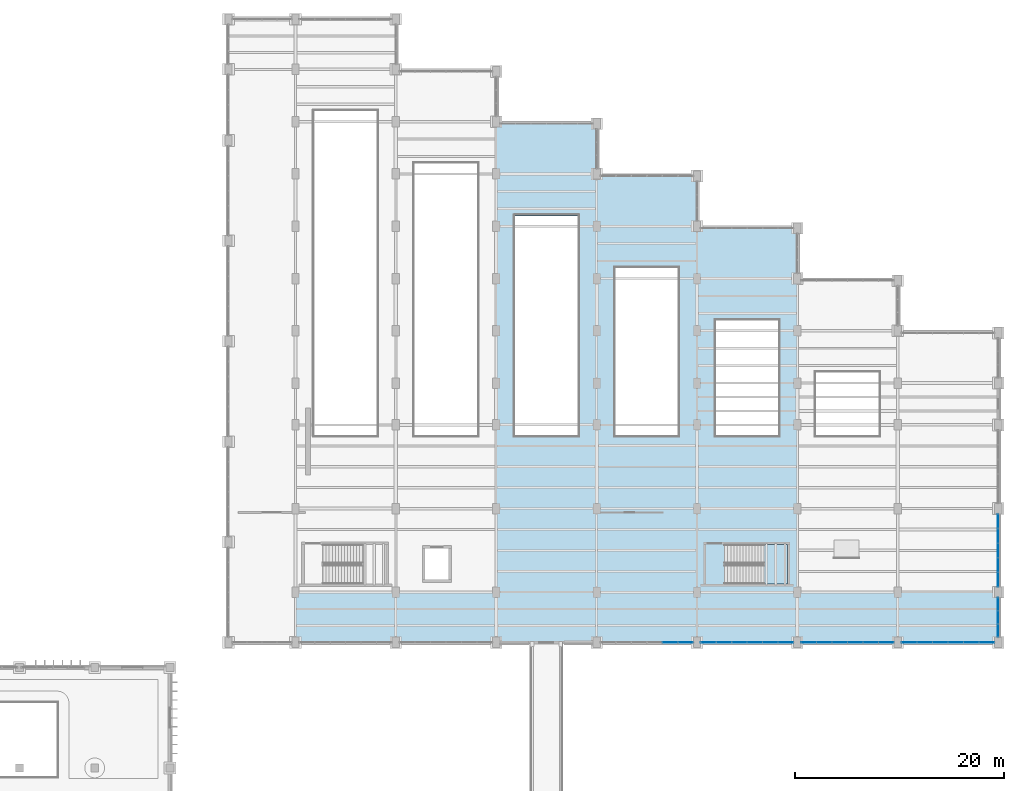
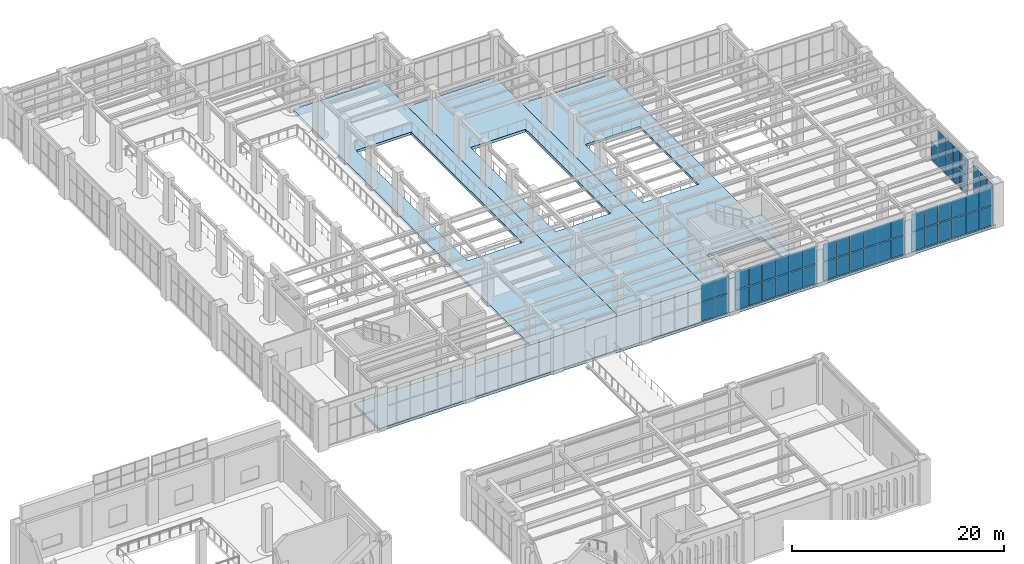
# One storey, part 137 of 174: 55 plates, 5 slabs, 7 elements without a shape of their own.
"""IFC4 building model written with IfcOpenShell, lengths in metres."""

from ifc_helpers import new_model, si_unit, direction, frame, origin, origin_2d, place, context, subcontext, project, spatial, polyline, rectangle, outline, extrude, material, layer, layer_set, type_object, element, aggregate, save


model = new_model("IFC4")

# Units and contexts
model_context = context("Model", 3, precision=1e-05, world=origin(), true_north=direction((0.0, 1.0)))
body_context = subcontext(model_context, "Body", "Model", "MODEL_VIEW")
ifc_project = project(units=[si_unit("LENGTHUNIT", "METRE"), si_unit("AREAUNIT", "SQUARE_METRE"), si_unit("VOLUMEUNIT", "CUBIC_METRE"), si_unit("PLANEANGLEUNIT", "RADIAN"), si_unit("MASSUNIT", "GRAM", prefix="KILO")], contexts=[model_context])

# Site, building, storey
site_placement = place(None, origin())
site = spatial("IfcSite", under=ifc_project, at=site_placement, CompositionType="ELEMENT")
building_placement = place(site_placement, origin())
building = spatial("IfcBuilding", under=site, at=building_placement, Name="Mavantir Sound Aquarium", CompositionType="ELEMENT")
storey_placement = place(building_placement, frame((0.0, 0.0, 5.39990234375)))
storey = spatial("IfcBuildingStorey", under=building, at=storey_placement, Name="L01", CompositionType="ELEMENT", Elevation=5.39990234375)

# Curtain wall, plates
ifc_material_1 = material(Name="Anodised Marine Aluminium and Low-E Glass", Category="aluminium")
curtain_wall_type_1 = type_object("IfcCurtainWallType", Name="CW-T05", PredefinedType="USERDEFINED", material=ifc_material_1)
curtain_wall_1_placement = place(storey_placement, origin())
curtain_wall_1 = element("IfcCurtainWall", 1, at=curtain_wall_1_placement, inside=storey, type_object=curtain_wall_type_1, Name="L01 unitised curtain wall CW-05 101", ObjectType="UNITISED GLAZING", PredefinedType="USERDEFINED")
ifc_material_2 = material(Name="Solar-Control Laminated Low-E Glass", Category="glass")
ifc_layer_1 = layer(ifc_material_2, 0.028076171875, Name="Solar-Control Laminated Low-E Glass")
ifc_layer_set_1 = layer_set([ifc_layer_1], Name="Solar-Control Laminated Low-E Glass")
plate_type_1 = type_object("IfcPlateType", Name="CW-PNL-28", PredefinedType="CURTAIN_PANEL", material=ifc_layer_set_1)
plate_1_placement = place(storey_placement, frame((147.498291015625, 36.0, 0.10302734375), z_axis=(0.0, 0.0, 1.0), x_axis=(1.0, 0.0, 0.0)))
plate_1 = element("IfcPlate", 2, at=plate_1_placement, type_object=plate_type_1, Name="CW-L01-101 glazed curtain panel 1.1", PredefinedType="CURTAIN_PANEL", context=body_context, shape_type="SweptSolid", body=[
    extrude(rectangle(XDim=1.4326171875, YDim=0.028076171875, at=origin_2d()), origin(), (0.0, 0.0, 1.0), 2.21142578125),
])
plate_2_placement = place(storey_placement, frame((147.498291015625, 36.0, 2.41064453125), z_axis=(0.0, 0.0, 1.0), x_axis=(1.0, 0.0, 0.0)))
plate_2 = element("IfcPlate", 3, at=plate_2_placement, type_object=plate_type_1, Name="CW-L01-101 glazed curtain panel 1.2", PredefinedType="CURTAIN_PANEL", context=body_context, shape_type="SweptSolid", body=[
    extrude(rectangle(XDim=1.4326171875, YDim=0.028076171875, at=origin_2d()), origin(), (0.0, 0.0, 1.0), 2.029541015625),
])
plate_3_placement = place(storey_placement, frame((148.97900390625, 36.0, 0.10302734375), z_axis=(0.0, 0.0, 1.0), x_axis=(1.0, 0.0, 0.0)))
plate_3 = element("IfcPlate", 4, at=plate_3_placement, type_object=plate_type_1, Name="CW-L01-101 glazed curtain panel 2.1", PredefinedType="CURTAIN_PANEL", context=body_context, shape_type="SweptSolid", body=[
    extrude(rectangle(XDim=1.4326171875, YDim=0.028076171875, at=origin_2d()), origin(), (0.0, 0.0, 1.0), 2.21142578125),
])
plate_4_placement = place(storey_placement, frame((148.97900390625, 36.0, 2.41064453125), z_axis=(0.0, 0.0, 1.0), x_axis=(1.0, 0.0, 0.0)))
plate_4 = element("IfcPlate", 5, at=plate_4_placement, type_object=plate_type_1, Name="CW-L01-101 glazed curtain panel 2.2", PredefinedType="CURTAIN_PANEL", context=body_context, shape_type="SweptSolid", body=[
    extrude(rectangle(XDim=1.4326171875, YDim=0.028076171875, at=origin_2d()), origin(), (0.0, 0.0, 1.0), 2.029541015625),
])
plate_5_placement = place(storey_placement, frame((150.459716796875, 36.0, 0.10302734375), z_axis=(0.0, 0.0, 1.0), x_axis=(1.0, 0.0, 0.0)))
plate_5 = element("IfcPlate", 6, at=plate_5_placement, type_object=plate_type_1, Name="CW-L01-101 glazed curtain panel 3.1", PredefinedType="CURTAIN_PANEL", context=body_context, shape_type="SweptSolid", body=[
    extrude(rectangle(XDim=1.4326171875, YDim=0.028076171875, at=origin_2d()), origin(), (0.0, 0.0, 1.0), 2.21142578125),
])
plate_6_placement = place(storey_placement, frame((150.459716796875, 36.0, 2.41064453125), z_axis=(0.0, 0.0, 1.0), x_axis=(1.0, 0.0, 0.0)))
plate_6 = element("IfcPlate", 7, at=plate_6_placement, type_object=plate_type_1, Name="CW-L01-101 glazed curtain panel 3.2", PredefinedType="CURTAIN_PANEL", context=body_context, shape_type="SweptSolid", body=[
    extrude(rectangle(XDim=1.4326171875, YDim=0.028076171875, at=origin_2d()), origin(), (0.0, 0.0, 1.0), 2.029541015625),
])
plate_7_placement = place(storey_placement, frame((151.940185546875, 36.0, 0.10302734375), z_axis=(0.0, 0.0, 1.0), x_axis=(1.0, 0.0, 0.0)))
plate_7 = element("IfcPlate", 8, at=plate_7_placement, type_object=plate_type_1, Name="CW-L01-101 glazed curtain panel 4.1", PredefinedType="CURTAIN_PANEL", context=body_context, shape_type="SweptSolid", body=[
    extrude(rectangle(XDim=1.4326171875, YDim=0.028076171875, at=origin_2d()), origin(), (0.0, 0.0, 1.0), 2.21142578125),
])
plate_8_placement = place(storey_placement, frame((151.940185546875, 36.0, 2.41064453125), z_axis=(0.0, 0.0, 1.0), x_axis=(1.0, 0.0, 0.0)))
plate_8 = element("IfcPlate", 9, at=plate_8_placement, type_object=plate_type_1, Name="CW-L01-101 glazed curtain panel 4.2", PredefinedType="CURTAIN_PANEL", context=body_context, shape_type="SweptSolid", body=[
    extrude(rectangle(XDim=1.4326171875, YDim=0.028076171875, at=origin_2d()), origin(), (0.0, 0.0, 1.0), 2.029541015625),
])
plate_9_placement = place(storey_placement, frame((153.4208984375, 36.0, 0.10302734375), z_axis=(0.0, 0.0, 1.0), x_axis=(1.0, 0.0, 0.0)))
plate_9 = element("IfcPlate", 10, at=plate_9_placement, type_object=plate_type_1, Name="CW-L01-101 glazed curtain panel 5.1", PredefinedType="CURTAIN_PANEL", context=body_context, shape_type="SweptSolid", body=[
    extrude(rectangle(XDim=1.4326171875, YDim=0.028076171875, at=origin_2d()), origin(), (0.0, 0.0, 1.0), 2.21142578125),
])
plate_10_placement = place(storey_placement, frame((153.4208984375, 36.0, 2.41064453125), z_axis=(0.0, 0.0, 1.0), x_axis=(1.0, 0.0, 0.0)))
plate_10 = element("IfcPlate", 11, at=plate_10_placement, type_object=plate_type_1, Name="CW-L01-101 glazed curtain panel 5.2", PredefinedType="CURTAIN_PANEL", context=body_context, shape_type="SweptSolid", body=[
    extrude(rectangle(XDim=1.4326171875, YDim=0.028076171875, at=origin_2d()), origin(), (0.0, 0.0, 1.0), 2.029541015625),
])
plate_11_placement = place(storey_placement, frame((154.901611328125, 36.0, 0.10302734375), z_axis=(0.0, 0.0, 1.0), x_axis=(1.0, 0.0, 0.0)))
plate_11 = element("IfcPlate", 12, at=plate_11_placement, type_object=plate_type_1, Name="CW-L01-101 glazed curtain panel 6.1", PredefinedType="CURTAIN_PANEL", context=body_context, shape_type="SweptSolid", body=[
    extrude(rectangle(XDim=1.4326171875, YDim=0.028076171875, at=origin_2d()), origin(), (0.0, 0.0, 1.0), 2.21142578125),
])
plate_12_placement = place(storey_placement, frame((154.901611328125, 36.0, 2.41064453125), z_axis=(0.0, 0.0, 1.0), x_axis=(1.0, 0.0, 0.0)))
plate_12 = element("IfcPlate", 13, at=plate_12_placement, type_object=plate_type_1, Name="CW-L01-101 glazed curtain panel 6.2", PredefinedType="CURTAIN_PANEL", context=body_context, shape_type="SweptSolid", body=[
    extrude(rectangle(XDim=1.4326171875, YDim=0.028076171875, at=origin_2d()), origin(), (0.0, 0.0, 1.0), 2.029541015625),
])
aggregate(curtain_wall_1, [plate_1, plate_2, plate_3, plate_4, plate_5, plate_6, plate_7, plate_8, plate_9, plate_10, plate_11, plate_12])

curtain_wall_type_2 = type_object("IfcCurtainWallType", Name="CW-T07", PredefinedType="USERDEFINED", material=ifc_material_1)
curtain_wall_2_placement = place(storey_placement, origin())
curtain_wall_2 = element("IfcCurtainWall", 14, at=curtain_wall_2_placement, inside=storey, type_object=curtain_wall_type_2, Name="L01 unitised curtain wall CW-07 103", ObjectType="UNITISED GLAZING", PredefinedType="USERDEFINED")
plate_13_placement = place(storey_placement, frame((166.6982421875, 36.0, 0.10302734375), z_axis=(0.0, 0.0, 1.0), x_axis=(1.0, 0.0, 0.0)))
plate_13 = element("IfcPlate", 15, at=plate_13_placement, type_object=plate_type_1, Name="CW-L01-103 glazed curtain panel 1.1", PredefinedType="CURTAIN_PANEL", context=body_context, shape_type="SweptSolid", body=[
    extrude(rectangle(XDim=1.4326171875, YDim=0.028076171875, at=origin_2d()), origin(), (0.0, 0.0, 1.0), 2.21142578125),
])
plate_14_placement = place(storey_placement, frame((166.6982421875, 36.0, 2.41064453125), z_axis=(0.0, 0.0, 1.0), x_axis=(1.0, 0.0, 0.0)))
plate_14 = element("IfcPlate", 16, at=plate_14_placement, type_object=plate_type_1, Name="CW-L01-103 glazed curtain panel 1.2", PredefinedType="CURTAIN_PANEL", context=body_context, shape_type="SweptSolid", body=[
    extrude(rectangle(XDim=1.4326171875, YDim=0.028076171875, at=origin_2d()), origin(), (0.0, 0.0, 1.0), 2.029541015625),
])
plate_15_placement = place(storey_placement, frame((168.178955078125, 36.0, 0.10302734375), z_axis=(0.0, 0.0, 1.0), x_axis=(1.0, 0.0, 0.0)))
plate_15 = element("IfcPlate", 17, at=plate_15_placement, type_object=plate_type_1, Name="CW-L01-103 glazed curtain panel 2.1", PredefinedType="CURTAIN_PANEL", context=body_context, shape_type="SweptSolid", body=[
    extrude(rectangle(XDim=1.4326171875, YDim=0.028076171875, at=origin_2d()), origin(), (0.0, 0.0, 1.0), 2.21142578125),
])
plate_16_placement = place(storey_placement, frame((168.178955078125, 36.0, 2.41064453125), z_axis=(0.0, 0.0, 1.0), x_axis=(1.0, 0.0, 0.0)))
plate_16 = element("IfcPlate", 18, at=plate_16_placement, type_object=plate_type_1, Name="CW-L01-103 glazed curtain panel 2.2", PredefinedType="CURTAIN_PANEL", context=body_context, shape_type="SweptSolid", body=[
    extrude(rectangle(XDim=1.4326171875, YDim=0.028076171875, at=origin_2d()), origin(), (0.0, 0.0, 1.0), 2.029541015625),
])
plate_17_placement = place(storey_placement, frame((169.65966796875, 36.0, 0.10302734375), z_axis=(0.0, 0.0, 1.0), x_axis=(1.0, 0.0, 0.0)))
plate_17 = element("IfcPlate", 19, at=plate_17_placement, type_object=plate_type_1, Name="CW-L01-103 glazed curtain panel 3.1", PredefinedType="CURTAIN_PANEL", context=body_context, shape_type="SweptSolid", body=[
    extrude(rectangle(XDim=1.4326171875, YDim=0.028076171875, at=origin_2d()), origin(), (0.0, 0.0, 1.0), 2.21142578125),
])
plate_18_placement = place(storey_placement, frame((169.65966796875, 36.0, 2.41064453125), z_axis=(0.0, 0.0, 1.0), x_axis=(1.0, 0.0, 0.0)))
plate_18 = element("IfcPlate", 20, at=plate_18_placement, type_object=plate_type_1, Name="CW-L01-103 glazed curtain panel 3.2", PredefinedType="CURTAIN_PANEL", context=body_context, shape_type="SweptSolid", body=[
    extrude(rectangle(XDim=1.4326171875, YDim=0.028076171875, at=origin_2d()), origin(), (0.0, 0.0, 1.0), 2.029541015625),
])
plate_19_placement = place(storey_placement, frame((171.140380859375, 36.0, 0.10302734375), z_axis=(0.0, 0.0, 1.0), x_axis=(1.0, 0.0, 0.0)))
plate_19 = element("IfcPlate", 21, at=plate_19_placement, type_object=plate_type_1, Name="CW-L01-103 glazed curtain panel 4.1", PredefinedType="CURTAIN_PANEL", context=body_context, shape_type="SweptSolid", body=[
    extrude(rectangle(XDim=1.4326171875, YDim=0.028076171875, at=origin_2d()), origin(), (0.0, 0.0, 1.0), 2.21142578125),
])
plate_20_placement = place(storey_placement, frame((171.140380859375, 36.0, 2.41064453125), z_axis=(0.0, 0.0, 1.0), x_axis=(1.0, 0.0, 0.0)))
plate_20 = element("IfcPlate", 22, at=plate_20_placement, type_object=plate_type_1, Name="CW-L01-103 glazed curtain panel 4.2", PredefinedType="CURTAIN_PANEL", context=body_context, shape_type="SweptSolid", body=[
    extrude(rectangle(XDim=1.4326171875, YDim=0.028076171875, at=origin_2d()), origin(), (0.0, 0.0, 1.0), 2.029541015625),
])
plate_21_placement = place(storey_placement, frame((172.62109375, 36.0, 0.10302734375), z_axis=(0.0, 0.0, 1.0), x_axis=(1.0, 0.0, 0.0)))
plate_21 = element("IfcPlate", 23, at=plate_21_placement, type_object=plate_type_1, Name="CW-L01-103 glazed curtain panel 5.1", PredefinedType="CURTAIN_PANEL", context=body_context, shape_type="SweptSolid", body=[
    extrude(rectangle(XDim=1.4326171875, YDim=0.028076171875, at=origin_2d()), origin(), (0.0, 0.0, 1.0), 2.21142578125),
])
plate_22_placement = place(storey_placement, frame((172.62109375, 36.0, 2.41064453125), z_axis=(0.0, 0.0, 1.0), x_axis=(1.0, 0.0, 0.0)))
plate_22 = element("IfcPlate", 24, at=plate_22_placement, type_object=plate_type_1, Name="CW-L01-103 glazed curtain panel 5.2", PredefinedType="CURTAIN_PANEL", context=body_context, shape_type="SweptSolid", body=[
    extrude(rectangle(XDim=1.4326171875, YDim=0.028076171875, at=origin_2d()), origin(), (0.0, 0.0, 1.0), 2.029541015625),
])
plate_23_placement = place(storey_placement, frame((174.101806640625, 36.0, 0.10302734375), z_axis=(0.0, 0.0, 1.0), x_axis=(1.0, 0.0, 0.0)))
plate_23 = element("IfcPlate", 25, at=plate_23_placement, type_object=plate_type_1, Name="CW-L01-103 glazed curtain panel 6.1", PredefinedType="CURTAIN_PANEL", context=body_context, shape_type="SweptSolid", body=[
    extrude(rectangle(XDim=1.4326171875, YDim=0.028076171875, at=origin_2d()), origin(), (0.0, 0.0, 1.0), 2.21142578125),
])
plate_24_placement = place(storey_placement, frame((174.101806640625, 36.0, 2.41064453125), z_axis=(0.0, 0.0, 1.0), x_axis=(1.0, 0.0, 0.0)))
plate_24 = element("IfcPlate", 26, at=plate_24_placement, type_object=plate_type_1, Name="CW-L01-103 glazed curtain panel 6.2", PredefinedType="CURTAIN_PANEL", context=body_context, shape_type="SweptSolid", body=[
    extrude(rectangle(XDim=1.4326171875, YDim=0.028076171875, at=origin_2d()), origin(), (0.0, 0.0, 1.0), 2.029541015625),
])
aggregate(curtain_wall_2, [plate_13, plate_14, plate_15, plate_16, plate_17, plate_18, plate_19, plate_20, plate_21, plate_22, plate_23, plate_24])

curtain_wall_type_3 = type_object("IfcCurtainWallType", Name="CW-T09", PredefinedType="USERDEFINED", material=ifc_material_1)
curtain_wall_3_placement = place(storey_placement, origin())
curtain_wall_3 = element("IfcCurtainWall", 27, at=curtain_wall_3_placement, inside=storey, type_object=curtain_wall_type_3, Name="L01 unitised curtain wall CW-09 105", ObjectType="UNITISED GLAZING", PredefinedType="USERDEFINED")
plate_25_placement = place(storey_placement, frame((175.199951171875, 42.00634765625, 0.10302734375), z_axis=(0.0, 0.0, 1.0), x_axis=(0.0, 1.0, 0.0)))
plate_25 = element("IfcPlate", 28, at=plate_25_placement, type_object=plate_type_1, Name="CW-L01-105 glazed curtain panel 1.1", PredefinedType="CURTAIN_PANEL", context=body_context, shape_type="SweptSolid", body=[
    extrude(rectangle(XDim=1.348876953125, YDim=0.028076171875, at=origin_2d()), origin(), (0.0, 0.0, 1.0), 2.11572265625),
])
plate_26_placement = place(storey_placement, frame((175.199951171875, 42.00634765625, 2.314697265625), z_axis=(0.0, 0.0, 1.0), x_axis=(0.0, 1.0, 0.0)))
plate_26 = element("IfcPlate", 29, at=plate_26_placement, type_object=plate_type_1, Name="CW-L01-105 glazed curtain panel 1.2", PredefinedType="CURTAIN_PANEL", context=body_context, shape_type="SweptSolid", body=[
    extrude(rectangle(XDim=1.348876953125, YDim=0.028076171875, at=origin_2d()), origin(), (0.0, 0.0, 1.0), 1.94140625),
])
plate_27_placement = place(storey_placement, frame((175.199951171875, 43.4033203125, 0.10302734375), z_axis=(0.0, 0.0, 1.0), x_axis=(0.0, 1.0, 0.0)))
plate_27 = element("IfcPlate", 30, at=plate_27_placement, type_object=plate_type_1, Name="CW-L01-105 glazed curtain panel 2.1", PredefinedType="CURTAIN_PANEL", context=body_context, shape_type="SweptSolid", body=[
    extrude(rectangle(XDim=1.348876953125, YDim=0.028076171875, at=origin_2d()), origin(), (0.0, 0.0, 1.0), 2.11572265625),
])
plate_28_placement = place(storey_placement, frame((175.199951171875, 43.4033203125, 2.314697265625), z_axis=(0.0, 0.0, 1.0), x_axis=(0.0, 1.0, 0.0)))
plate_28 = element("IfcPlate", 31, at=plate_28_placement, type_object=plate_type_1, Name="CW-L01-105 glazed curtain panel 2.2", PredefinedType="CURTAIN_PANEL", context=body_context, shape_type="SweptSolid", body=[
    extrude(rectangle(XDim=1.348876953125, YDim=0.028076171875, at=origin_2d()), origin(), (0.0, 0.0, 1.0), 1.94140625),
])
plate_29_placement = place(storey_placement, frame((175.199951171875, 44.800048828125, 0.10302734375), z_axis=(0.0, 0.0, 1.0), x_axis=(0.0, 1.0, 0.0)))
plate_29 = element("IfcPlate", 32, at=plate_29_placement, type_object=plate_type_1, Name="CW-L01-105 glazed curtain panel 3.1", PredefinedType="CURTAIN_PANEL", context=body_context, shape_type="SweptSolid", body=[
    extrude(rectangle(XDim=1.348876953125, YDim=0.028076171875, at=origin_2d()), origin(), (0.0, 0.0, 1.0), 2.11572265625),
])
plate_30_placement = place(storey_placement, frame((175.199951171875, 44.800048828125, 2.314697265625), z_axis=(0.0, 0.0, 1.0), x_axis=(0.0, 1.0, 0.0)))
plate_30 = element("IfcPlate", 33, at=plate_30_placement, type_object=plate_type_1, Name="CW-L01-105 glazed curtain panel 3.2", PredefinedType="CURTAIN_PANEL", context=body_context, shape_type="SweptSolid", body=[
    extrude(rectangle(XDim=1.348876953125, YDim=0.028076171875, at=origin_2d()), origin(), (0.0, 0.0, 1.0), 1.94140625),
])
plate_31_placement = place(storey_placement, frame((175.199951171875, 46.19677734375, 0.10302734375), z_axis=(0.0, 0.0, 1.0), x_axis=(0.0, 1.0, 0.0)))
plate_31 = element("IfcPlate", 34, at=plate_31_placement, type_object=plate_type_1, Name="CW-L01-105 glazed curtain panel 4.1", PredefinedType="CURTAIN_PANEL", context=body_context, shape_type="SweptSolid", body=[
    extrude(rectangle(XDim=1.348876953125, YDim=0.028076171875, at=origin_2d()), origin(), (0.0, 0.0, 1.0), 2.11572265625),
])
plate_32_placement = place(storey_placement, frame((175.199951171875, 46.19677734375, 2.314697265625), z_axis=(0.0, 0.0, 1.0), x_axis=(0.0, 1.0, 0.0)))
plate_32 = element("IfcPlate", 35, at=plate_32_placement, type_object=plate_type_1, Name="CW-L01-105 glazed curtain panel 4.2", PredefinedType="CURTAIN_PANEL", context=body_context, shape_type="SweptSolid", body=[
    extrude(rectangle(XDim=1.348876953125, YDim=0.028076171875, at=origin_2d()), origin(), (0.0, 0.0, 1.0), 1.94140625),
])
plate_33_placement = place(storey_placement, frame((175.199951171875, 47.593505859375, 0.10302734375), z_axis=(0.0, 0.0, 1.0), x_axis=(0.0, 1.0, 0.0)))
plate_33 = element("IfcPlate", 36, at=plate_33_placement, type_object=plate_type_1, Name="CW-L01-105 glazed curtain panel 5.1", PredefinedType="CURTAIN_PANEL", context=body_context, shape_type="SweptSolid", body=[
    extrude(rectangle(XDim=1.348876953125, YDim=0.028076171875, at=origin_2d()), origin(), (0.0, 0.0, 1.0), 2.11572265625),
])
aggregate(curtain_wall_3, [plate_25, plate_26, plate_27, plate_28, plate_29, plate_30, plate_31, plate_32, plate_33])

curtain_wall_type_4 = type_object("IfcCurtainWallType", Name="CW-T04", PredefinedType="USERDEFINED", material=ifc_material_1)
curtain_wall_4_placement = place(storey_placement, origin())
curtain_wall_4 = element("IfcCurtainWall", 37, at=curtain_wall_4_placement, inside=storey, type_object=curtain_wall_type_4, Name="L01 unitised curtain wall CW-04 100", ObjectType="UNITISED GLAZING", PredefinedType="USERDEFINED")
ifc_layer_2 = layer(ifc_material_2, 0.031982421875, Name="Solar-Control Laminated Low-E Glass")
ifc_layer_set_2 = layer_set([ifc_layer_2], Name="Solar-Control Laminated Low-E Glass")
plate_type_2 = type_object("IfcPlateType", Name="CW-PNL-32", PredefinedType="CURTAIN_PANEL", material=ifc_layer_set_2)
plate_34_placement = place(storey_placement, frame((143.821044921875, 36.0, 0.10302734375), z_axis=(0.0, 0.0, 1.0), x_axis=(1.0, 0.0, 0.0)))
plate_34 = element("IfcPlate", 38, at=plate_34_placement, type_object=plate_type_2, Name="CW-L01-100 glazed curtain panel 5.1", PredefinedType="CURTAIN_PANEL", context=body_context, shape_type="SweptSolid", body=[
    extrude(rectangle(XDim=1.4326171875, YDim=0.031982421875, at=origin_2d()), origin(), (0.0, 0.0, 1.0), 2.15673828125),
])
plate_35_placement = place(storey_placement, frame((143.821044921875, 36.0, 2.35595703125), z_axis=(0.0, 0.0, 1.0), x_axis=(1.0, 0.0, 0.0)))
plate_35 = element("IfcPlate", 39, at=plate_35_placement, type_object=plate_type_2, Name="CW-L01-100 glazed curtain panel 5.2", PredefinedType="CURTAIN_PANEL", context=body_context, shape_type="SweptSolid", body=[
    extrude(rectangle(XDim=1.4326171875, YDim=0.031982421875, at=origin_2d()), origin(), (0.0, 0.0, 1.0), 1.979248046875),
])
plate_36_placement = place(storey_placement, frame((145.3017578125, 36.0, 0.10302734375), z_axis=(0.0, 0.0, 1.0), x_axis=(1.0, 0.0, 0.0)))
plate_36 = element("IfcPlate", 40, at=plate_36_placement, type_object=plate_type_2, Name="CW-L01-100 glazed curtain panel 6.1", PredefinedType="CURTAIN_PANEL", context=body_context, shape_type="SweptSolid", body=[
    extrude(rectangle(XDim=1.4326171875, YDim=0.031982421875, at=origin_2d()), origin(), (0.0, 0.0, 1.0), 2.15673828125),
])
plate_37_placement = place(storey_placement, frame((145.3017578125, 36.0, 2.35595703125), z_axis=(0.0, 0.0, 1.0), x_axis=(1.0, 0.0, 0.0)))
plate_37 = element("IfcPlate", 41, at=plate_37_placement, type_object=plate_type_2, Name="CW-L01-100 glazed curtain panel 6.2", PredefinedType="CURTAIN_PANEL", context=body_context, shape_type="SweptSolid", body=[
    extrude(rectangle(XDim=1.4326171875, YDim=0.031982421875, at=origin_2d()), origin(), (0.0, 0.0, 1.0), 1.979248046875),
])
aggregate(curtain_wall_4, [plate_34, plate_35, plate_36, plate_37])

curtain_wall_type_5 = type_object("IfcCurtainWallType", Name="CW-T06", PredefinedType="USERDEFINED", material=ifc_material_1)
curtain_wall_5_placement = place(storey_placement, origin())
curtain_wall_5 = element("IfcCurtainWall", 42, at=curtain_wall_5_placement, inside=storey, type_object=curtain_wall_type_5, Name="L01 unitised curtain wall CW-06 102", ObjectType="UNITISED GLAZING", PredefinedType="USERDEFINED")
plate_38_placement = place(storey_placement, frame((157.098388671875, 36.0, 0.10302734375), z_axis=(0.0, 0.0, 1.0), x_axis=(1.0, 0.0, 0.0)))
plate_38 = element("IfcPlate", 43, at=plate_38_placement, type_object=plate_type_2, Name="CW-L01-102 glazed curtain panel 1.1", PredefinedType="CURTAIN_PANEL", context=body_context, shape_type="SweptSolid", body=[
    extrude(rectangle(XDim=1.4326171875, YDim=0.031982421875, at=origin_2d()), origin(), (0.0, 0.0, 1.0), 2.15673828125),
])
plate_39_placement = place(storey_placement, frame((157.098388671875, 36.0, 2.35595703125), z_axis=(0.0, 0.0, 1.0), x_axis=(1.0, 0.0, 0.0)))
plate_39 = element("IfcPlate", 44, at=plate_39_placement, type_object=plate_type_2, Name="CW-L01-102 glazed curtain panel 1.2", PredefinedType="CURTAIN_PANEL", context=body_context, shape_type="SweptSolid", body=[
    extrude(rectangle(XDim=1.4326171875, YDim=0.031982421875, at=origin_2d()), origin(), (0.0, 0.0, 1.0), 1.979248046875),
])
plate_40_placement = place(storey_placement, frame((158.5791015625, 36.0, 0.10302734375), z_axis=(0.0, 0.0, 1.0), x_axis=(1.0, 0.0, 0.0)))
plate_40 = element("IfcPlate", 45, at=plate_40_placement, type_object=plate_type_2, Name="CW-L01-102 glazed curtain panel 2.1", PredefinedType="CURTAIN_PANEL", context=body_context, shape_type="SweptSolid", body=[
    extrude(rectangle(XDim=1.4326171875, YDim=0.031982421875, at=origin_2d()), origin(), (0.0, 0.0, 1.0), 2.15673828125),
])
plate_41_placement = place(storey_placement, frame((158.5791015625, 36.0, 2.35595703125), z_axis=(0.0, 0.0, 1.0), x_axis=(1.0, 0.0, 0.0)))
plate_41 = element("IfcPlate", 46, at=plate_41_placement, type_object=plate_type_2, Name="CW-L01-102 glazed curtain panel 2.2", PredefinedType="CURTAIN_PANEL", context=body_context, shape_type="SweptSolid", body=[
    extrude(rectangle(XDim=1.4326171875, YDim=0.031982421875, at=origin_2d()), origin(), (0.0, 0.0, 1.0), 1.979248046875),
])
plate_42_placement = place(storey_placement, frame((160.059814453125, 36.0, 0.10302734375), z_axis=(0.0, 0.0, 1.0), x_axis=(1.0, 0.0, 0.0)))
plate_42 = element("IfcPlate", 47, at=plate_42_placement, type_object=plate_type_2, Name="CW-L01-102 glazed curtain panel 3.1", PredefinedType="CURTAIN_PANEL", context=body_context, shape_type="SweptSolid", body=[
    extrude(rectangle(XDim=1.4326171875, YDim=0.031982421875, at=origin_2d()), origin(), (0.0, 0.0, 1.0), 2.15673828125),
])
plate_43_placement = place(storey_placement, frame((160.059814453125, 36.0, 2.35595703125), z_axis=(0.0, 0.0, 1.0), x_axis=(1.0, 0.0, 0.0)))
plate_43 = element("IfcPlate", 48, at=plate_43_placement, type_object=plate_type_2, Name="CW-L01-102 glazed curtain panel 3.2", PredefinedType="CURTAIN_PANEL", context=body_context, shape_type="SweptSolid", body=[
    extrude(rectangle(XDim=1.4326171875, YDim=0.031982421875, at=origin_2d()), origin(), (0.0, 0.0, 1.0), 1.979248046875),
])
plate_44_placement = place(storey_placement, frame((161.540283203125, 36.0, 0.10302734375), z_axis=(0.0, 0.0, 1.0), x_axis=(1.0, 0.0, 0.0)))
plate_44 = element("IfcPlate", 49, at=plate_44_placement, type_object=plate_type_2, Name="CW-L01-102 glazed curtain panel 4.1", PredefinedType="CURTAIN_PANEL", context=body_context, shape_type="SweptSolid", body=[
    extrude(rectangle(XDim=1.4326171875, YDim=0.031982421875, at=origin_2d()), origin(), (0.0, 0.0, 1.0), 2.15673828125),
])
plate_45_placement = place(storey_placement, frame((161.540283203125, 36.0, 2.35595703125), z_axis=(0.0, 0.0, 1.0), x_axis=(1.0, 0.0, 0.0)))
plate_45 = element("IfcPlate", 50, at=plate_45_placement, type_object=plate_type_2, Name="CW-L01-102 glazed curtain panel 4.2", PredefinedType="CURTAIN_PANEL", context=body_context, shape_type="SweptSolid", body=[
    extrude(rectangle(XDim=1.4326171875, YDim=0.031982421875, at=origin_2d()), origin(), (0.0, 0.0, 1.0), 1.979248046875),
])
plate_46_placement = place(storey_placement, frame((163.02099609375, 36.0, 0.10302734375), z_axis=(0.0, 0.0, 1.0), x_axis=(1.0, 0.0, 0.0)))
plate_46 = element("IfcPlate", 51, at=plate_46_placement, type_object=plate_type_2, Name="CW-L01-102 glazed curtain panel 5.1", PredefinedType="CURTAIN_PANEL", context=body_context, shape_type="SweptSolid", body=[
    extrude(rectangle(XDim=1.4326171875, YDim=0.031982421875, at=origin_2d()), origin(), (0.0, 0.0, 1.0), 2.15673828125),
])
plate_47_placement = place(storey_placement, frame((163.02099609375, 36.0, 2.35595703125), z_axis=(0.0, 0.0, 1.0), x_axis=(1.0, 0.0, 0.0)))
plate_47 = element("IfcPlate", 52, at=plate_47_placement, type_object=plate_type_2, Name="CW-L01-102 glazed curtain panel 5.2", PredefinedType="CURTAIN_PANEL", context=body_context, shape_type="SweptSolid", body=[
    extrude(rectangle(XDim=1.4326171875, YDim=0.031982421875, at=origin_2d()), origin(), (0.0, 0.0, 1.0), 1.979248046875),
])
plate_48_placement = place(storey_placement, frame((164.501708984375, 36.0, 0.10302734375), z_axis=(0.0, 0.0, 1.0), x_axis=(1.0, 0.0, 0.0)))
plate_48 = element("IfcPlate", 53, at=plate_48_placement, type_object=plate_type_2, Name="CW-L01-102 glazed curtain panel 6.1", PredefinedType="CURTAIN_PANEL", context=body_context, shape_type="SweptSolid", body=[
    extrude(rectangle(XDim=1.4326171875, YDim=0.031982421875, at=origin_2d()), origin(), (0.0, 0.0, 1.0), 2.15673828125),
])
plate_49_placement = place(storey_placement, frame((164.501708984375, 36.0, 2.35595703125), z_axis=(0.0, 0.0, 1.0), x_axis=(1.0, 0.0, 0.0)))
plate_49 = element("IfcPlate", 54, at=plate_49_placement, type_object=plate_type_2, Name="CW-L01-102 glazed curtain panel 6.2", PredefinedType="CURTAIN_PANEL", context=body_context, shape_type="SweptSolid", body=[
    extrude(rectangle(XDim=1.4326171875, YDim=0.031982421875, at=origin_2d()), origin(), (0.0, 0.0, 1.0), 1.979248046875),
])
aggregate(curtain_wall_5, [plate_38, plate_39, plate_40, plate_41, plate_42, plate_43, plate_44, plate_45, plate_46, plate_47, plate_48, plate_49])

curtain_wall_type_6 = type_object("IfcCurtainWallType", Name="CW-T08", PredefinedType="USERDEFINED", material=ifc_material_1)
curtain_wall_6_placement = place(storey_placement, origin())
curtain_wall_6 = element("IfcCurtainWall", 55, at=curtain_wall_6_placement, inside=storey, type_object=curtain_wall_type_6, Name="L01 unitised curtain wall CW-08 104", ObjectType="UNITISED GLAZING", PredefinedType="USERDEFINED")
plate_50_placement = place(storey_placement, frame((175.199951171875, 37.138671875, 0.10302734375), z_axis=(0.0, 0.0, 1.0), x_axis=(0.0, 1.0, 0.0)))
plate_50 = element("IfcPlate", 56, at=plate_50_placement, type_object=plate_type_2, Name="CW-L01-104 glazed curtain panel 1.1", PredefinedType="CURTAIN_PANEL", context=body_context, shape_type="SweptSolid", body=[
    extrude(rectangle(XDim=1.21337890625, YDim=0.031982421875, at=origin_2d()), origin(), (0.0, 0.0, 1.0), 2.13330078125),
])
plate_51_placement = place(storey_placement, frame((175.199951171875, 37.138671875, 2.33251953125), z_axis=(0.0, 0.0, 1.0), x_axis=(0.0, 1.0, 0.0)))
plate_51 = element("IfcPlate", 57, at=plate_51_placement, type_object=plate_type_2, Name="CW-L01-104 glazed curtain panel 1.2", PredefinedType="CURTAIN_PANEL", context=body_context, shape_type="SweptSolid", body=[
    extrude(rectangle(XDim=1.21337890625, YDim=0.031982421875, at=origin_2d()), origin(), (0.0, 0.0, 1.0), 1.95751953125),
])
plate_52_placement = place(storey_placement, frame((175.199951171875, 38.39990234375, 0.10302734375), z_axis=(0.0, 0.0, 1.0), x_axis=(0.0, 1.0, 0.0)))
plate_52 = element("IfcPlate", 58, at=plate_52_placement, type_object=plate_type_2, Name="CW-L01-104 glazed curtain panel 2.1", PredefinedType="CURTAIN_PANEL", context=body_context, shape_type="SweptSolid", body=[
    extrude(rectangle(XDim=1.21337890625, YDim=0.031982421875, at=origin_2d()), origin(), (0.0, 0.0, 1.0), 2.13330078125),
])
plate_53_placement = place(storey_placement, frame((175.199951171875, 38.39990234375, 2.33251953125), z_axis=(0.0, 0.0, 1.0), x_axis=(0.0, 1.0, 0.0)))
plate_53 = element("IfcPlate", 59, at=plate_53_placement, type_object=plate_type_2, Name="CW-L01-104 glazed curtain panel 2.2", PredefinedType="CURTAIN_PANEL", context=body_context, shape_type="SweptSolid", body=[
    extrude(rectangle(XDim=1.21337890625, YDim=0.031982421875, at=origin_2d()), origin(), (0.0, 0.0, 1.0), 1.95751953125),
])
plate_54_placement = place(storey_placement, frame((175.199951171875, 39.661376953125, 0.10302734375), z_axis=(0.0, 0.0, 1.0), x_axis=(0.0, 1.0, 0.0)))
plate_54 = element("IfcPlate", 60, at=plate_54_placement, type_object=plate_type_2, Name="CW-L01-104 glazed curtain panel 3.1", PredefinedType="CURTAIN_PANEL", context=body_context, shape_type="SweptSolid", body=[
    extrude(rectangle(XDim=1.21337890625, YDim=0.031982421875, at=origin_2d()), origin(), (0.0, 0.0, 1.0), 2.13330078125),
])
plate_55_placement = place(storey_placement, frame((175.199951171875, 39.661376953125, 2.33251953125), z_axis=(0.0, 0.0, 1.0), x_axis=(0.0, 1.0, 0.0)))
plate_55 = element("IfcPlate", 61, at=plate_55_placement, type_object=plate_type_2, Name="CW-L01-104 glazed curtain panel 3.2", PredefinedType="CURTAIN_PANEL", context=body_context, shape_type="SweptSolid", body=[
    extrude(rectangle(XDim=1.21337890625, YDim=0.031982421875, at=origin_2d()), origin(), (0.0, 0.0, 1.0), 1.95751953125),
])
aggregate(curtain_wall_6, [plate_50, plate_51, plate_52, plate_53, plate_54, plate_55])

# Slabs
ifc_material_3 = material(Name="Concrete C40/50", Category="concrete")
ifc_layer_3 = layer(ifc_material_3, 0.330078125, Name="Concrete C40/50")
ifc_layer_set_3 = layer_set([ifc_layer_3], Name="Concrete C40/50")
slab_type_1 = type_object("IfcSlabType", Name="SLB-FS-05", PredefinedType="FLOOR", material=ifc_layer_set_3)
slab_1_placement = place(storey_placement, frame((0.0, 0.0, -0.329833984375)))
element("IfcSlab", 62, at=slab_1_placement, inside=storey, type_object=slab_type_1, Name="L01 structural slab FS-05 (V4)", PredefinedType="FLOOR", context=body_context, shape_type="SweptSolid", body=[
    extrude(outline(polyline([(175.199951171875, 36.0), (175.199951171875, 40.800048828125), (108.0, 40.800048828125), (108.0, 36.0), (175.199951171875, 36.0)])), origin(), (0.0, 0.0, 1.0), 0.329833984375),
])
slab_2_placement = place(storey_placement, frame((0.0, 0.0, -0.329833984375)))
element("IfcSlab", 63, at=slab_2_placement, inside=storey, type_object=slab_type_1, Name="L01 structural slab FS-05 (V4)", PredefinedType="FLOOR", context=body_context, shape_type="SweptSolid", body=[
    extrude(outline(polyline([(146.39990234375, 40.800048828125), (146.39990234375, 80.60009765625), (136.800048828125, 80.60009765625), (136.800048828125, 40.800048828125), (146.39990234375, 40.800048828125)]), holes=[polyline([(138.60009765625, 55.800048828125), (144.60009765625, 55.800048828125), (144.60009765625, 71.800048828125), (138.60009765625, 71.800048828125), (138.60009765625, 55.800048828125)])]), origin(), (0.0, 0.0, 1.0), 0.329833984375),
])
ifc_layer_4 = layer(ifc_material_3, 0.2900390625, Name="Concrete C40/50")
ifc_layer_set_4 = layer_set([ifc_layer_4], Name="Concrete C40/50")
slab_type_2 = type_object("IfcSlabType", Name="SLB-FS-06", PredefinedType="FLOOR", material=ifc_layer_set_4)
slab_3_placement = place(storey_placement, frame((0.0, 0.0, -0.289794921875)))
element("IfcSlab", 64, at=slab_3_placement, inside=storey, type_object=slab_type_2, Name="L01 structural slab FS-06 (V4)", PredefinedType="FLOOR", context=body_context, shape_type="SweptSolid", body=[
    extrude(outline(polyline([(156.0, 40.800048828125), (156.0, 75.60009765625), (146.39990234375, 75.60009765625), (146.39990234375, 40.800048828125), (156.0, 40.800048828125)]), holes=[polyline([(148.199951171875, 55.800048828125), (154.199951171875, 55.800048828125), (154.199951171875, 66.800048828125), (148.199951171875, 66.800048828125), (148.199951171875, 55.800048828125)]), polyline([(149.050048828125, 41.60009765625), (155.050048828125, 41.60009765625), (155.050048828125, 45.35009765625), (149.050048828125, 45.35009765625), (149.050048828125, 41.60009765625)])]), origin(), (0.0, 0.0, 1.0), 0.289794921875),
])
ifc_layer_5 = layer(ifc_material_3, 0.31005859375, Name="Concrete C40/50")
ifc_layer_set_5 = layer_set([ifc_layer_5], Name="Concrete C40/50")
slab_type_3 = type_object("IfcSlabType", Name="SLB-FS-07", PredefinedType="FLOOR", material=ifc_layer_set_5)
slab_4_placement = place(storey_placement, frame((0.0, 0.0, -0.309814453125)))
element("IfcSlab", 65, at=slab_4_placement, inside=storey, type_object=slab_type_3, Name="L01 structural slab FS-07 (V4)", PredefinedType="FLOOR", context=body_context, shape_type="SweptSolid", body=[
    extrude(outline(polyline([(136.800048828125, 40.800048828125), (136.800048828125, 85.60009765625), (127.199951171875, 85.60009765625), (127.199951171875, 40.800048828125), (136.800048828125, 40.800048828125)]), holes=[polyline([(129.0, 55.800048828125), (135.0, 55.800048828125), (135.0, 76.800048828125), (129.0, 76.800048828125), (129.0, 55.800048828125)])]), origin(), (0.0, 0.0, 1.0), 0.309814453125),
])

# Stair, slab
stair_type = type_object("IfcStairType", Name="STR-1800-5100", PredefinedType="HALF_TURN_STAIR", material=ifc_material_3)
stair_placement = place(storey_placement, origin())
stair = element("IfcStair", 66, at=stair_placement, inside=storey, type_object=stair_type, Name="L01 Protected exit stair ST12", PredefinedType="HALF_TURN_STAIR")
ifc_layer_6 = layer(ifc_material_3, 0.199951171875, Name="Concrete C40/50")
ifc_layer_set_6 = layer_set([ifc_layer_6], Name="Concrete C40/50")
slab_type_4 = type_object("IfcSlabType", Name="SLB-LND-360", PredefinedType="LANDING", material=ifc_layer_set_6)
slab_5_placement = place(storey_placement, frame((0.0, 0.0, 2.35009765625)))
slab_5 = element("IfcSlab", 67, at=slab_5_placement, type_object=slab_type_4, Name="ST12 landing 1", PredefinedType="LANDING", context=body_context, shape_type="SweptSolid", body=[
    extrude(outline(polyline([(152.820068359375, 41.60009765625), (155.050048828125, 41.60009765625), (155.050048828125, 45.35009765625), (152.820068359375, 45.35009765625), (152.820068359375, 41.60009765625)])), origin(), (0.0, 0.0, 1.0), 0.199951171875),
])
aggregate(stair, [slab_5])

save(model, "model.ifc")
